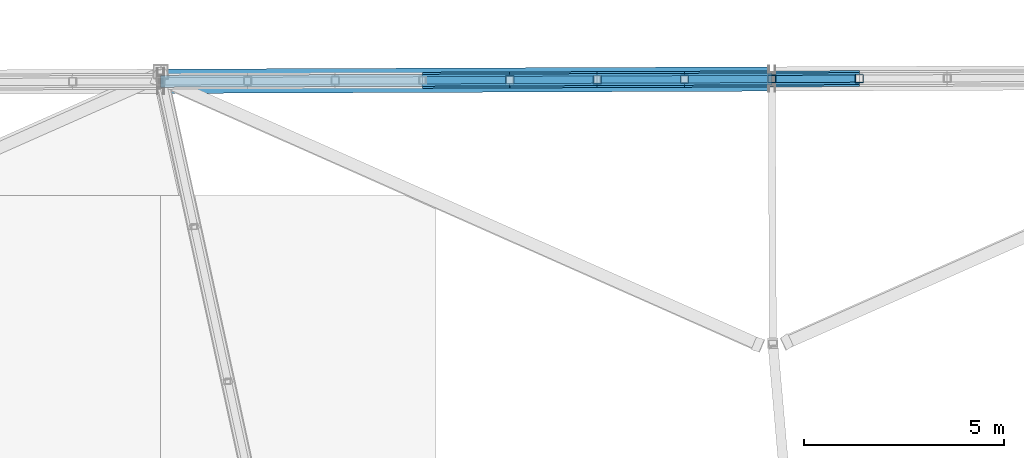
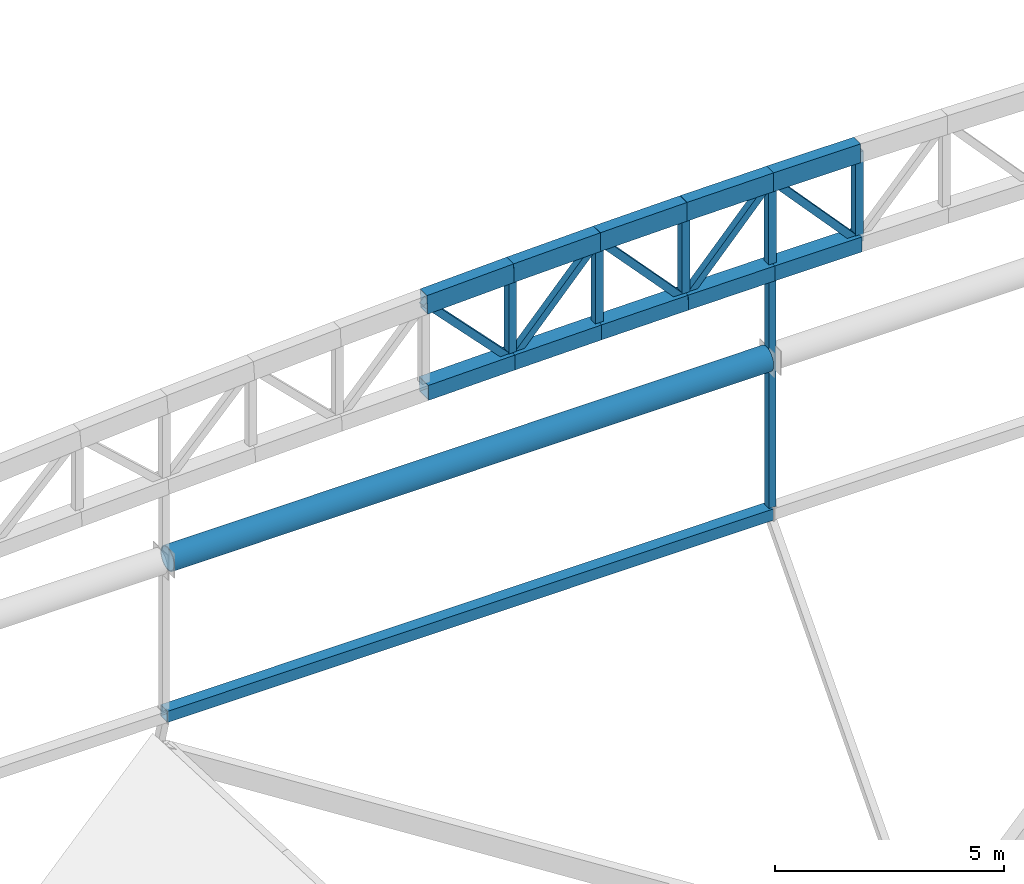
# One storey, part 85 of 188: 23 members.
"""IFC4 building model written with IfcOpenShell, lengths in metres."""

from ifc_helpers import new_model, si_unit, direction, frame, origin, origin_2d, place, context, subcontext, project, spatial, hollow_rectangle, hollow_circle, extrude, material, material_profile, profile_set, type_object, element, save


model = new_model("IFC4")

# Units and contexts
model_context = context("Model", 3, precision=1e-05, world=origin(), true_north=direction((0.0, 1.0)))
body_context = subcontext(model_context, "Body", "Model", "MODEL_VIEW")
ifc_project = project(units=[si_unit("LENGTHUNIT", "METRE"), si_unit("AREAUNIT", "SQUARE_METRE"), si_unit("VOLUMEUNIT", "CUBIC_METRE"), si_unit("PLANEANGLEUNIT", "RADIAN"), si_unit("MASSUNIT", "GRAM", prefix="KILO")], contexts=[model_context])

# Site, building, storey
site_placement = place(None, origin())
site = spatial("IfcSite", under=ifc_project, at=site_placement, CompositionType="ELEMENT")
building_placement = place(site_placement, origin())
building = spatial("IfcBuilding", under=site, at=building_placement, Name="Meseta Stadium", CompositionType="ELEMENT")
storey_placement = place(building_placement, frame((0.0, 0.0, 30.0)))
storey = spatial("IfcBuildingStorey", under=building, at=storey_placement, Name="ROOF", CompositionType="ELEMENT", Elevation=30.0)

# Members
ifc_material_1 = material(Name="Steel S355", Category="steel")
ifc_material_profile_1 = material_profile(ifc_material_1, hollow_circle(Radius=0.304931640625, WallThickness=0.02490234375, at=origin_2d()), Name="CHS 610x25")
ifc_profile_set_1 = profile_set([ifc_material_profile_1], Name="Steel S355")
member_type_1 = type_object("IfcMemberType", Name="CHS 610x25 arch tie", PredefinedType="STRUT", material=ifc_profile_set_1)
member_1_placement = place(storey_placement, frame((-7.7822265625, 105.22265625, 15.550048828125), z_axis=(-0.999992560596, -0.003857298612, 0.0), x_axis=(0.003857298612, -0.999992560596, 0.0)))
element("IfcMember", 1, at=member_1_placement, inside=storey, type_object=member_type_1, Name="GABLE ARCH GA-N tie 04", PredefinedType="STRUT", context=body_context, shape_type="SweptSolid", body=[
    extrude(hollow_circle(Radius=0.304931640625, WallThickness=0.02490234375, at=origin_2d()), origin(), (0.0, 0.0, 1.0), 15.126953125),
])
ifc_material_2 = material(Name="Steel S355", Category="steel")
ifc_material_profile_2 = material_profile(ifc_material_2, hollow_rectangle(XDim=0.300048828125, YDim=0.5, WallThickness=0.01611328125, at=origin_2d()), Name="RHS 500x300x16")
ifc_profile_set_2 = profile_set([ifc_material_profile_2], Name="Steel S355")
member_type_2 = type_object("IfcMemberType", Name="RHS 500x300x16 arch top chord", PredefinedType="CHORD", material=ifc_profile_set_2)
member_2_placement = place(storey_placement, frame((-5.498046875, 105.2314453125, 20.295654296875), z_axis=(-0.999991370261, -0.00389448069, 0.001446521399), x_axis=(0.003894484764, -0.999992416465, 0.0)))
element("IfcMember", 2, at=member_2_placement, inside=storey, type_object=member_type_2, Name="GABLE ARCH GA-N top chord", PredefinedType="CHORD", context=body_context, shape_type="SweptSolid", body=[
    extrude(hollow_rectangle(XDim=0.300048828125, YDim=0.5, WallThickness=0.01611328125, at=origin_2d()), origin(), (0.0, 0.0, 1.0), 2.194091796875),
])
member_3_placement = place(storey_placement, frame((-7.692138671875, 105.222900390625, 20.298828125), z_axis=(-0.999963125817, -0.003795773839, -0.007703188085), x_axis=(0.003795886463, -0.999992795597, 0.0)))
element("IfcMember", 3, at=member_3_placement, inside=storey, type_object=member_type_2, Name="GABLE ARCH GA-N top chord", PredefinedType="CHORD", context=body_context, shape_type="SweptSolid", body=[
    extrude(hollow_rectangle(XDim=0.300048828125, YDim=0.5, WallThickness=0.01611328125, at=origin_2d()), origin(), (0.0, 0.0, 1.0), 2.186767578125),
])
member_4_placement = place(storey_placement, frame((-9.87890625, 105.214599609375, 20.281982421875), z_axis=(-0.999850297588, -0.003906973363, -0.016855799368), x_axis=(0.003907528502, -0.999992365581, 0.0)))
element("IfcMember", 4, at=member_4_placement, inside=storey, type_object=member_type_2, Name="GABLE ARCH GA-N top chord", PredefinedType="CHORD", context=body_context, shape_type="SweptSolid", body=[
    extrude(hollow_rectangle(XDim=0.300048828125, YDim=0.5, WallThickness=0.01611328125, at=origin_2d()), origin(), (0.0, 0.0, 1.0), 2.18701171875),
])
member_5_placement = place(storey_placement, frame((-12.065673828125, 105.2060546875, 20.2451171875), z_axis=(-0.999657450471, -0.003795037217, -0.025895548069), x_axis=(0.003796310294, -0.999992793988, 0.0)))
element("IfcMember", 5, at=member_5_placement, inside=storey, type_object=member_type_2, Name="GABLE ARCH GA-N top chord", PredefinedType="CHORD", context=body_context, shape_type="SweptSolid", body=[
    extrude(hollow_rectangle(XDim=0.300048828125, YDim=0.5, WallThickness=0.01611328125, at=origin_2d()), origin(), (0.0, 0.0, 1.0), 2.187255859375),
])
member_6_placement = place(storey_placement, frame((-14.252197265625, 105.19775390625, 20.1884765625), z_axis=(-0.999382370878, -0.003905144912, -0.034923153074), x_axis=(0.003907528502, -0.999992365581, 0.0)))
element("IfcMember", 6, at=member_6_placement, inside=storey, type_object=member_type_2, Name="GABLE ARCH GA-N top chord", PredefinedType="CHORD", context=body_context, shape_type="SweptSolid", body=[
    extrude(hollow_rectangle(XDim=0.300048828125, YDim=0.5, WallThickness=0.01611328125, at=origin_2d()), origin(), (0.0, 0.0, 1.0), 2.188232421875),
])
ifc_material_3 = material(Name="Steel S355", Category="steel")
ifc_material_profile_3 = material_profile(ifc_material_3, hollow_rectangle(XDim=0.179931640625, YDim=0.179931640625, WallThickness=0.00634765625, at=origin_2d()), Name="SHS 180x180x6.3")
ifc_profile_set_3 = profile_set([ifc_material_profile_3], Name="Steel S355")
member_type_3 = type_object("IfcMemberType", Name="SHS 180x180x6.3 arch diagonal", PredefinedType="BRACE", material=ifc_profile_set_3)
member_7_placement = place(storey_placement, frame((-5.498046875, 105.2314453125, 17.897705078125), z_axis=(-0.674562424848, -0.002627093009, 0.73821313546), x_axis=(0.003894484764, -0.999992416465, 0.0)))
element("IfcMember", 7, at=member_7_placement, inside=storey, type_object=member_type_3, Name="GABLE ARCH GA-N diagonal", PredefinedType="BRACE", context=body_context, shape_type="SweptSolid", body=[
    extrude(hollow_rectangle(XDim=0.179931640625, YDim=0.179931640625, WallThickness=0.00634765625, at=origin_2d()), origin(), (0.0, 0.0, 1.0), 3.252685546875),
])
member_8_placement = place(storey_placement, frame((-7.692138671875, 105.222900390625, 20.298828125), z_axis=(-0.672173664903, -0.002551513298, -0.74038912336), x_axis=(0.003795886463, -0.999992795597, 0.0)))
element("IfcMember", 8, at=member_8_placement, inside=storey, type_object=member_type_3, Name="GABLE ARCH GA-N diagonal", PredefinedType="BRACE", context=body_context, shape_type="SweptSolid", body=[
    extrude(hollow_rectangle(XDim=0.179931640625, YDim=0.179931640625, WallThickness=0.00634765625, at=origin_2d()), origin(), (0.0, 0.0, 1.0), 3.253173828125),
])
member_9_placement = place(storey_placement, frame((-9.87890625, 105.214599609375, 17.89013671875), z_axis=(-0.680448694066, -0.002658892966, 0.732790901302), x_axis=(0.003907528502, -0.999992365581, 0.0)))
element("IfcMember", 9, at=member_9_placement, inside=storey, type_object=member_type_3, Name="GABLE ARCH GA-N diagonal", PredefinedType="BRACE", context=body_context, shape_type="SweptSolid", body=[
    extrude(hollow_rectangle(XDim=0.179931640625, YDim=0.179931640625, WallThickness=0.00634765625, at=origin_2d()), origin(), (0.0, 0.0, 1.0), 3.213623046875),
])
member_10_placement = place(storey_placement, frame((-12.065673828125, 105.2060546875, 20.2451171875), z_axis=(-0.672618265409, -0.002553486046, -0.739985235493), x_axis=(0.003796310294, -0.999992793988, 0.0)))
element("IfcMember", 10, at=member_10_placement, inside=storey, type_object=member_type_3, Name="GABLE ARCH GA-N diagonal", PredefinedType="BRACE", context=body_context, shape_type="SweptSolid", body=[
    extrude(hollow_rectangle(XDim=0.179931640625, YDim=0.179931640625, WallThickness=0.00634765625, at=origin_2d()), origin(), (0.0, 0.0, 1.0), 3.250732421875),
])
member_11_placement = place(storey_placement, frame((-14.252197265625, 105.19775390625, 17.839599609375), z_axis=(-0.693387685773, -0.00270945283, 0.720559627015), x_axis=(0.003907528502, -0.999992365581, 0.0)))
element("IfcMember", 11, at=member_11_placement, inside=storey, type_object=member_type_3, Name="GABLE ARCH GA-N diagonal", PredefinedType="BRACE", context=body_context, shape_type="SweptSolid", body=[
    extrude(hollow_rectangle(XDim=0.179931640625, YDim=0.179931640625, WallThickness=0.00634765625, at=origin_2d()), origin(), (0.0, 0.0, 1.0), 3.15380859375),
])
ifc_material_4 = material(Name="Steel S355", Category="steel")
ifc_material_profile_4 = material_profile(ifc_material_4, hollow_rectangle(XDim=0.179931640625, YDim=0.179931640625, WallThickness=0.00634765625, at=origin_2d()), Name="SHS 180x180x6.3")
ifc_profile_set_4 = profile_set([ifc_material_profile_4], Name="Steel S355")
member_type_4 = type_object("IfcMemberType", Name="SHS 180x180x6.3 hanger", PredefinedType="STRUT", material=ifc_profile_set_4)
member_12_placement = place(storey_placement, frame((-7.692138671875, 105.222900390625, 17.8994140625), z_axis=(0.0, 0.0, -1.0), x_axis=(1.0, 0.0, 0.0)))
element("IfcMember", 12, at=member_12_placement, inside=storey, type_object=member_type_4, Name="GABLE ARCH GA-N hanger RT-19", PredefinedType="STRUT", context=body_context, shape_type="SweptSolid", body=[
    extrude(hollow_rectangle(XDim=0.179931640625, YDim=0.179931640625, WallThickness=0.00634765625, at=origin_2d()), origin(), (0.0, 0.0, 1.0), 6.29931640625),
])
ifc_material_5 = material(Name="Steel S355", Category="steel")
ifc_material_profile_5 = material_profile(ifc_material_5, hollow_rectangle(XDim=0.199951171875, YDim=0.199951171875, WallThickness=0.008056640625, at=origin_2d()), Name="SHS 200x200x8")
ifc_profile_set_5 = profile_set([ifc_material_profile_5], Name="Steel S355")
member_type_5 = type_object("IfcMemberType", Name="SHS 200x200x8 arch vertical", PredefinedType="POST", material=ifc_profile_set_5)
member_13_placement = place(storey_placement, frame((-5.498046875, 105.2314453125, 17.897705078125), z_axis=(0.0, 0.0, 1.0), x_axis=(1.0, 0.0, 0.0)))
element("IfcMember", 13, at=member_13_placement, inside=storey, type_object=member_type_5, Name="GABLE ARCH GA-N vertical", PredefinedType="POST", context=body_context, shape_type="SweptSolid", body=[
    extrude(hollow_rectangle(XDim=0.199951171875, YDim=0.199951171875, WallThickness=0.008056640625, at=origin_2d()), origin(), (0.0, 0.0, 1.0), 2.39794921875),
])
member_14_placement = place(storey_placement, frame((-7.692138671875, 105.222900390625, 17.8994140625), z_axis=(0.0, 0.0, 1.0), x_axis=(1.0, 0.0, 0.0)))
element("IfcMember", 14, at=member_14_placement, inside=storey, type_object=member_type_5, Name="GABLE ARCH GA-N vertical", PredefinedType="POST", context=body_context, shape_type="SweptSolid", body=[
    extrude(hollow_rectangle(XDim=0.199951171875, YDim=0.199951171875, WallThickness=0.008056640625, at=origin_2d()), origin(), (0.0, 0.0, 1.0), 2.3994140625),
])
member_15_placement = place(storey_placement, frame((-9.87890625, 105.214599609375, 17.89013671875), z_axis=(0.0, 0.0, 1.0), x_axis=(1.0, 0.0, 0.0)))
element("IfcMember", 15, at=member_15_placement, inside=storey, type_object=member_type_5, Name="GABLE ARCH GA-N vertical", PredefinedType="POST", context=body_context, shape_type="SweptSolid", body=[
    extrude(hollow_rectangle(XDim=0.199951171875, YDim=0.199951171875, WallThickness=0.008056640625, at=origin_2d()), origin(), (0.0, 0.0, 1.0), 2.391845703125),
])
member_16_placement = place(storey_placement, frame((-12.065673828125, 105.2060546875, 17.870361328125), z_axis=(0.0, 0.0, 1.0), x_axis=(1.0, 0.0, 0.0)))
element("IfcMember", 16, at=member_16_placement, inside=storey, type_object=member_type_5, Name="GABLE ARCH GA-N vertical", PredefinedType="POST", context=body_context, shape_type="SweptSolid", body=[
    extrude(hollow_rectangle(XDim=0.199951171875, YDim=0.199951171875, WallThickness=0.008056640625, at=origin_2d()), origin(), (0.0, 0.0, 1.0), 2.374755859375),
])
member_17_placement = place(storey_placement, frame((-14.252197265625, 105.19775390625, 17.839599609375), z_axis=(0.0, 0.0, 1.0), x_axis=(1.0, 0.0, 0.0)))
element("IfcMember", 17, at=member_17_placement, inside=storey, type_object=member_type_5, Name="GABLE ARCH GA-N vertical", PredefinedType="POST", context=body_context, shape_type="SweptSolid", body=[
    extrude(hollow_rectangle(XDim=0.199951171875, YDim=0.199951171875, WallThickness=0.008056640625, at=origin_2d()), origin(), (0.0, 0.0, 1.0), 2.348876953125),
])
ifc_material_6 = material(Name="Steel S355", Category="steel")
ifc_material_profile_6 = material_profile(ifc_material_6, hollow_rectangle(XDim=0.300048828125, YDim=0.300048828125, WallThickness=0.010009765625, at=origin_2d()), Name="SHS 300x300x10")
ifc_profile_set_6 = profile_set([ifc_material_profile_6], Name="Steel S355")
member_type_6 = type_object("IfcMemberType", Name="SHS 300x300x10 arch sill", PredefinedType="STRUT", material=ifc_profile_set_6)
member_18_placement = place(storey_placement, frame((-7.692138671875, 105.222900390625, 11.449951171875), z_axis=(-0.999992612359, -0.00384385568, 0.0), x_axis=(0.00384385568, -0.999992612359, 0.0)))
element("IfcMember", 18, at=member_18_placement, inside=storey, type_object=member_type_6, Name="GABLE ARCH GA-N sill beam 04", PredefinedType="STRUT", context=body_context, shape_type="SweptSolid", body=[
    extrude(hollow_rectangle(XDim=0.300048828125, YDim=0.300048828125, WallThickness=0.010009765625, at=origin_2d()), origin(), (0.0, 0.0, 1.0), 15.306884765625),
])
ifc_material_7 = material(Name="Steel S355", Category="steel")
ifc_material_profile_7 = material_profile(ifc_material_7, hollow_rectangle(XDim=0.39990234375, YDim=0.39990234375, WallThickness=0.01416015625, at=origin_2d()), Name="SHS 400x400x14.2")
ifc_profile_set_7 = profile_set([ifc_material_profile_7], Name="Steel S355")
member_type_7 = type_object("IfcMemberType", Name="SHS 400x400x14.2 arch bottom chord", PredefinedType="CHORD", material=ifc_profile_set_7)
member_19_placement = place(storey_placement, frame((-5.498046875, 105.2314453125, 17.897705078125), z_axis=(-0.999992113128, -0.003894483583, 0.000778896717), x_axis=(0.003894484764, -0.999992416465, 0.0)))
element("IfcMember", 19, at=member_19_placement, inside=storey, type_object=member_type_7, Name="GABLE ARCH GA-N bottom chord", PredefinedType="CHORD", context=body_context, shape_type="SweptSolid", body=[
    extrude(hollow_rectangle(XDim=0.39990234375, YDim=0.39990234375, WallThickness=0.01416015625, at=origin_2d()), origin(), (0.0, 0.0, 1.0), 2.194091796875),
])
for number, where, z_axis, x_axis, name in (
    (20, (-7.692138671875, 105.222900390625, 17.8994140625), (-0.999983796544, -0.003795852304, -0.004242423163), (0.003795886463, -0.999992795597, 0.0), "GABLE ARCH GA-N bottom chord"),
    (21, (-9.87890625, 105.214599609375, 17.89013671875), (-0.999951479234, -0.003907368737, -0.009042767647), (0.003907528502, -0.999992365581, 0.0), "GABLE ARCH GA-N bottom chord"),
    (22, (-12.065673828125, 105.2060546875, 17.870361328125), (-0.999893845521, -0.003795934652, -0.014067287242), (0.003796310294, -0.999992793988, 0.0), "GABLE ARCH GA-N bottom chord"),
):
    element("IfcMember", number, at=place(storey_placement, frame(where, z_axis=z_axis, x_axis=x_axis)), inside=storey, type_object=member_type_7, Name=name, PredefinedType="CHORD", context=body_context, shape_type="SweptSolid", body=[
        extrude(hollow_rectangle(XDim=0.39990234375, YDim=0.39990234375, WallThickness=0.01416015625, at=origin_2d()), origin(), (0.0, 0.0, 1.0), 2.186767578125),
    ])
member_20_placement = place(storey_placement, frame((-14.252197265625, 105.19775390625, 17.839599609375), z_axis=(-0.999810182336, -0.003906816611, -0.019087589726), x_axis=(0.003907528502, -0.999992365581, 0.0)))
element("IfcMember", 23, at=member_20_placement, inside=storey, type_object=member_type_7, Name="GABLE ARCH GA-N bottom chord", PredefinedType="CHORD", context=body_context, shape_type="SweptSolid", body=[
    extrude(hollow_rectangle(XDim=0.39990234375, YDim=0.39990234375, WallThickness=0.01416015625, at=origin_2d()), origin(), (0.0, 0.0, 1.0), 2.187255859375),
])

save(model, "model.ifc")
